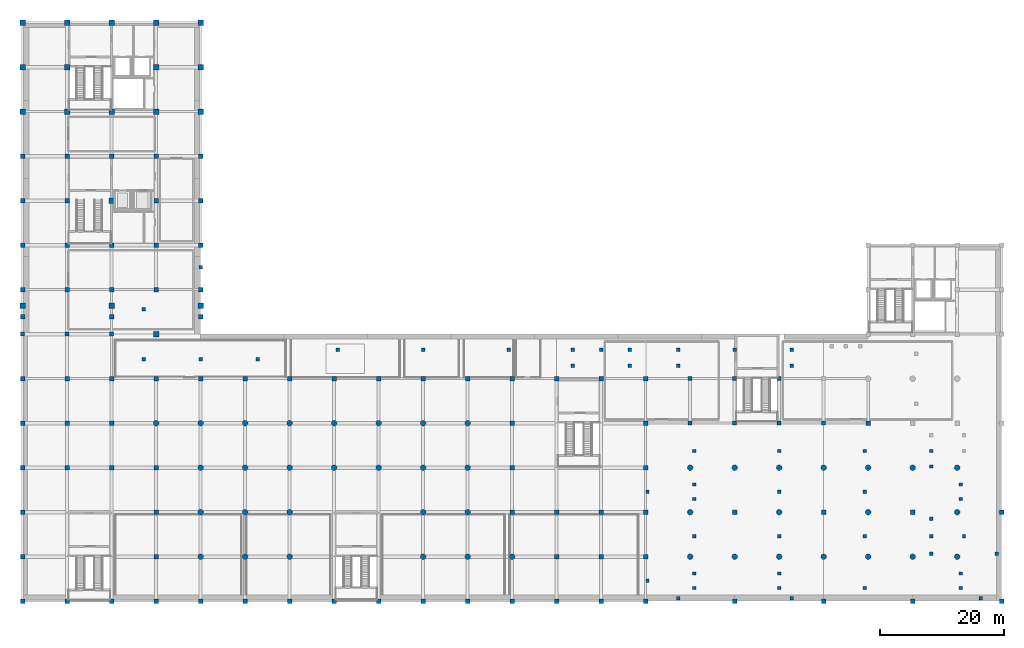
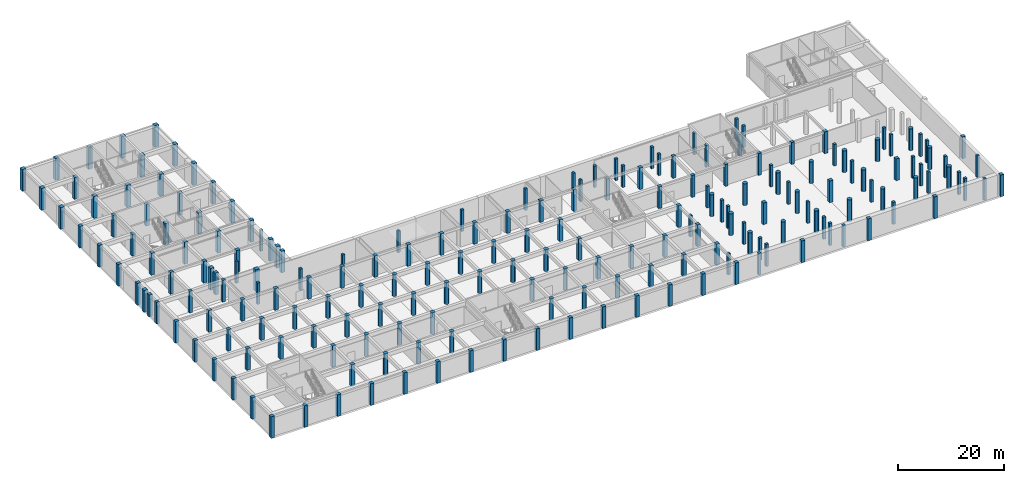
# One storey, part 1 of 15: 205 columns.
"""IFC4 building model written with IfcOpenShell, lengths in metres."""

from ifc_helpers import new_model, si_unit, direction, frame, origin, origin_2d, place, context, subcontext, project, spatial, rectangle, circle, extrude, material, material_profile, profile_set, type_object, element, save


model = new_model("IFC4")

# Units and contexts
model_context = context("Model", 3, precision=1e-05, world=origin(), true_north=direction((0.0, 1.0)))
body_context = subcontext(model_context, "Body", "Model", "MODEL_VIEW")
ifc_project = project(units=[si_unit("LENGTHUNIT", "METRE"), si_unit("AREAUNIT", "SQUARE_METRE"), si_unit("VOLUMEUNIT", "CUBIC_METRE"), si_unit("PLANEANGLEUNIT", "RADIAN"), si_unit("MASSUNIT", "GRAM", prefix="KILO")], contexts=[model_context])

# Site, building, storey
site_placement = place(None, origin())
site = spatial("IfcSite", under=ifc_project, at=site_placement, CompositionType="ELEMENT")
building_placement = place(site_placement, origin())
building = spatial("IfcBuilding", under=site, at=building_placement, Name="Leyfeld Transit Interchange", CompositionType="ELEMENT")
storey_placement = place(building_placement, frame((0.0, 0.0, -5.39990234375)))
storey = spatial("IfcBuildingStorey", under=building, at=storey_placement, Name="B01", CompositionType="ELEMENT", Elevation=-5.39990234375)

# Columns
ifc_material_1 = material(Name="Concrete C35/45", Category="concrete")
ifc_material_profile_1 = material_profile(ifc_material_1, rectangle(XDim=0.550048828125, YDim=0.550048828125, at=origin_2d()), Name="RC 550x550")
ifc_profile_set_1 = profile_set([ifc_material_profile_1], Name="Concrete C35/45")
column_type_1 = type_object("IfcColumnType", Name="COL-RC-550", PredefinedType="COLUMN", material=ifc_profile_set_1)
for number, where, z_axis, x_axis, name in (
    (1, (108.633056640625, 16.52392578125, 0.0), (0.0, 0.0, 1.0), (1.0, 0.0, 0.0), "Plaza Support Column B01 001"),
    (2, (108.633056640625, 18.8759765625, 0.0), (0.0, 0.0, 1.0), (1.0, 0.0, 0.0), "Plaza Support Column B01 002"),
    (3, (122.43505859375, 16.52392578125, 0.0), (0.0, 0.0, 1.0), (1.0, 0.0, 0.0), "Plaza Support Column B01 003"),
    (4, (122.43505859375, 18.8759765625, 0.0), (0.0, 0.0, 1.0), (1.0, 0.0, 0.0), "Plaza Support Column B01 004"),
    (5, (136.237060546875, 16.52392578125, 0.0), (0.0, 0.0, 1.0), (1.0, 0.0, 0.0), "Plaza Support Column B01 005"),
    (6, (151.77587890625, 16.52392578125, 0.0), (0.0, 0.0, 1.0), (1.0, 0.0, 0.0), "Plaza Support Column B01 006"),
    (7, (151.77587890625, 18.8759765625, 0.0), (0.0, 0.0, 1.0), (1.0, 0.0, 0.0), "Plaza Support Column B01 007"),
    (8, (108.633056640625, 30.924072265625, 0.0), (0.0, 0.0, 1.0), (1.0, 0.0, 0.0), "Plaza Support Column B01 008"),
    (9, (108.633056640625, 33.27587890625, 0.0), (0.0, 0.0, 1.0), (1.0, 0.0, 0.0), "Plaza Support Column B01 009"),
    (10, (122.43505859375, 32.10009765625, 0.0), (0.0, 0.0, 1.0), (1.0, 0.0, 0.0), "Plaza Support Column B01 010"),
    (11, (136.237060546875, 32.10009765625, 0.0), (0.0, 0.0, 1.0), (1.0, 0.0, 0.0), "Plaza Support Column B01 011"),
    (12, (151.77587890625, 30.924072265625, 0.0), (0.0, 0.0, 1.0), (1.0, 0.0, 0.0), "Plaza Support Column B01 012"),
    (13, (151.77587890625, 33.27587890625, 0.0), (0.0, 0.0, 1.0), (1.0, 0.0, 0.0), "Plaza Support Column B01 013"),
):
    element("IfcColumn", number, at=place(storey_placement, frame(where, z_axis=z_axis, x_axis=x_axis)), inside=storey, type_object=column_type_1, Name=name, PredefinedType="COLUMN", context=body_context, shape_type="SweptSolid", body=[
        extrude(rectangle(XDim=0.550048828125, YDim=0.550048828125, at=origin_2d()), origin(), (0.0, 0.0, 1.0), 5.099853515625),
    ])
for number, where, z_axis, x_axis, name in (
    (14, (106.041015625, 14.85205078125, 0.0), (0.0, 0.0, 1.0), (1.0, 0.0, 0.0), "Plaza Support Column B01 016"),
    (15, (124.428955078125, 14.85205078125, 0.0), (0.0, 0.0, 1.0), (1.0, 0.0, 0.0), "Plaza Support Column B01 017"),
    (16, (155.02001953125, 14.85205078125, 0.0), (0.0, 0.0, 1.0), (1.0, 0.0, 0.0), "Plaza Support Column B01 018"),
    (17, (19.583984375, 53.568115234375, 0.0), (0.0, 0.0, 1.0), (1.0, 0.0, 0.0), "Plaza Support Column B01 019"),
    (18, (19.583984375, 61.632080078125, 0.0), (0.0, 0.0, 1.0), (1.0, 0.0, 0.0), "Plaza Support Column B01 020"),
    (19, (28.800048828125, 53.568115234375, 0.0), (0.0, 0.0, 1.0), (1.0, 0.0, 0.0), "Plaza Support Column B01 021"),
    (20, (38.01611328125, 53.568115234375, 0.0), (0.0, 0.0, 1.0), (1.0, 0.0, 0.0), "Plaza Support Column B01 022"),
    (21, (50.97607421875, 55.10009765625, 0.0), (0.0, 0.0, 1.0), (1.0, 0.0, 0.0), "Plaza Support Column B01 023"),
    (22, (64.800048828125, 55.10009765625, 0.0), (0.0, 0.0, 1.0), (1.0, 0.0, 0.0), "Plaza Support Column B01 024"),
    (23, (78.6240234375, 55.10009765625, 0.0), (0.0, 0.0, 1.0), (1.0, 0.0, 0.0), "Plaza Support Column B01 025"),
    (24, (106.041015625, 52.468017578125, 0.0), (0.0, 0.0, 1.0), (1.0, 0.0, 0.0), "Plaza Support Column B01 026"),
    (25, (106.041015625, 55.10009765625, 0.0), (0.0, 0.0, 1.0), (1.0, 0.0, 0.0), "Plaza Support Column B01 027"),
    (26, (115.235107421875, 55.10009765625, 0.0), (0.0, 0.0, 1.0), (1.0, 0.0, 0.0), "Plaza Support Column B01 028"),
    (27, (124.428955078125, 52.468017578125, 0.0), (0.0, 0.0, 1.0), (1.0, 0.0, 0.0), "Plaza Support Column B01 029"),
    (28, (124.428955078125, 55.10009765625, 0.0), (0.0, 0.0, 1.0), (1.0, 0.0, 0.0), "Plaza Support Column B01 030"),
    (29, (88.99609375, 52.468017578125, 0.0), (0.0, 0.0, 1.0), (1.0, 0.0, 0.0), "Plaza Support Column B01 031"),
    (30, (88.99609375, 55.10009765625, 0.0), (0.0, 0.0, 1.0), (1.0, 0.0, 0.0), "Plaza Support Column B01 032"),
    (31, (93.610107421875, 55.10009765625, 0.0), (0.0, 0.0, 1.0), (1.0, 0.0, 0.0), "Plaza Support Column B01 033"),
    (32, (98.22412109375, 52.468017578125, 0.0), (0.0, 0.0, 1.0), (1.0, 0.0, 0.0), "Plaza Support Column B01 034"),
    (33, (98.22412109375, 55.10009765625, 0.0), (0.0, 0.0, 1.0), (1.0, 0.0, 0.0), "Plaza Support Column B01 035"),
    (34, (108.633056640625, 38.699951171875, 0.0), (0.0, 0.0, 1.0), (1.0, 0.0, 0.0), "Plaza Support Column B01 039"),
    (35, (122.43505859375, 38.699951171875, 0.0), (0.0, 0.0, 1.0), (1.0, 0.0, 0.0), "Plaza Support Column B01 040"),
    (36, (136.237060546875, 38.699951171875, 0.0), (0.0, 0.0, 1.0), (1.0, 0.0, 0.0), "Plaza Support Column B01 041"),
    (37, (146.988037109375, 36.179931640625, 0.0), (0.0, 0.0, 1.0), (1.0, 0.0, 0.0), "Plaza Support Column B01 042"),
    (38, (146.988037109375, 38.699951171875, 0.0), (0.0, 0.0, 1.0), (1.0, 0.0, 0.0), "Plaza Support Column B01 043"),
    (39, (108.633056640625, 24.89990234375, 0.0), (0.0, 0.0, 1.0), (1.0, 0.0, 0.0), "Plaza Support Column B01 047"),
    (40, (122.43505859375, 24.89990234375, 0.0), (0.0, 0.0, 1.0), (1.0, 0.0, 0.0), "Plaza Support Column B01 048"),
    (41, (136.237060546875, 24.89990234375, 0.0), (0.0, 0.0, 1.0), (1.0, 0.0, 0.0), "Plaza Support Column B01 049"),
    (42, (146.988037109375, 22.0439453125, 0.0), (0.0, 0.0, 1.0), (1.0, 0.0, 0.0), "Plaza Support Column B01 050"),
    (43, (146.988037109375, 24.89990234375, 0.0), (0.0, 0.0, 1.0), (1.0, 0.0, 0.0), "Plaza Support Column B01 051"),
    (44, (146.988037109375, 27.756103515625, 0.0), (0.0, 0.0, 1.0), (1.0, 0.0, 0.0), "Plaza Support Column B01 052"),
    (45, (152.300048828125, 24.89990234375, 0.0), (0.0, 0.0, 1.0), (1.0, 0.0, 0.0), "Plaza Support Column B01 053"),
    (46, (157.612060546875, 22.0439453125, 0.0), (0.0, 0.0, 1.0), (1.0, 0.0, 0.0), "Plaza Support Column B01 054"),
):
    element("IfcColumn", number, at=place(storey_placement, frame(where, z_axis=z_axis, x_axis=x_axis)), inside=storey, type_object=column_type_1, Name=name, PredefinedType="COLUMN", context=body_context, shape_type="SweptSolid", body=[
        extrude(rectangle(XDim=0.550048828125, YDim=0.550048828125, at=origin_2d()), origin(), (0.0, 0.0, 1.0), 4.949951171875),
    ])
column_placement = place(storey_placement, frame((28.800048828125, 68.39990234375, 0.0), z_axis=(0.0, 0.0, 1.0), x_axis=(1.0, 0.0, 0.0)))
element("IfcColumn", 47, at=column_placement, inside=storey, type_object=column_type_1, Name="Cycle Ramp Pier B01", PredefinedType="COLUMN", context=body_context, shape_type="SweptSolid", body=[
    extrude(rectangle(XDim=0.550048828125, YDim=0.550048828125, at=origin_2d()), origin(), (0.0, 0.0, 1.0), 4.849853515625),
])
for number, where, z_axis, x_axis, name in (
    (48, (101.10009765625, 17.699951171875, 0.0), (0.0, 0.0, 1.0), (1.0, 0.0, 0.0), "Ramp Toe Pier B01 02"),
    (49, (101.10009765625, 32.10009765625, 0.0), (0.0, 0.0, 1.0), (1.0, 0.0, 0.0), "Ramp Toe Pier B01 03"),
):
    element("IfcColumn", number, at=place(storey_placement, frame(where, z_axis=z_axis, x_axis=x_axis)), inside=storey, type_object=column_type_1, Name=name, PredefinedType="COLUMN", context=body_context, shape_type="SweptSolid", body=[
        extrude(rectangle(XDim=0.550048828125, YDim=0.550048828125, at=origin_2d()), origin(), (0.0, 0.0, 1.0), 4.8798828125),
    ])
ifc_material_profile_2 = material_profile(ifc_material_1, rectangle(XDim=0.64990234375, YDim=0.64990234375, at=origin_2d()), Name="RC 650x650")
ifc_profile_set_2 = profile_set([ifc_material_profile_2], Name="Concrete C35/45")
column_type_2 = type_object("IfcColumnType", Name="COL-RC-650", PredefinedType="COLUMN", material=ifc_profile_set_2)
for number, where, z_axis, x_axis, name in (
    (50, (0.0, 57.60009765625, 0.0), (0.0, 0.0, 1.0), (1.0, 0.0, 0.0), "Column COL-B01-0000_0576"),
    (51, (7.199951171875, 57.60009765625, 0.0), (0.0, 0.0, 1.0), (1.0, 0.0, 0.0), "Column COL-B01-0072_0576"),
    (52, (14.39990234375, 57.60009765625, 0.0), (0.0, 0.0, 1.0), (1.0, 0.0, 0.0), "Column COL-B01-0144_0576"),
):
    element("IfcColumn", number, at=place(storey_placement, frame(where, z_axis=z_axis, x_axis=x_axis)), inside=storey, type_object=column_type_2, Name=name, PredefinedType="COLUMN", context=body_context, shape_type="SweptSolid", body=[
        extrude(rectangle(XDim=0.64990234375, YDim=0.64990234375, at=origin_2d()), origin(), (0.0, 0.0, 1.0), 5.0),
    ])
for number, where, z_axis, x_axis, name in (
    (53, (108.0, 43.199951171875, 0.0), (0.0, 0.0, 1.0), (1.0, 0.0, 0.0), "Column COL-B01-1080_0432"),
    (54, (108.0, 50.39990234375, 0.0), (0.0, 0.0, 1.0), (1.0, 0.0, 0.0), "Column COL-B01-1080_0504"),
    (55, (115.199951171875, 43.199951171875, 0.0), (0.0, 0.0, 1.0), (1.0, 0.0, 0.0), "Column COL-B01-1152_0432"),
    (56, (115.199951171875, 50.39990234375, 0.0), (0.0, 0.0, 1.0), (1.0, 0.0, 0.0), "Column COL-B01-1152_0504"),
    (57, (122.39990234375, 43.199951171875, 0.0), (0.0, 0.0, 1.0), (1.0, 0.0, 0.0), "Column COL-B01-1224_0432"),
    (58, (122.39990234375, 50.39990234375, 0.0), (0.0, 0.0, 1.0), (1.0, 0.0, 0.0), "Column COL-B01-1224_0504"),
    (59, (129.60009765625, 43.199951171875, 0.0), (0.0, 0.0, 1.0), (1.0, 0.0, 0.0), "Column COL-B01-1296_0432"),
):
    element("IfcColumn", number, at=place(storey_placement, frame(where, z_axis=z_axis, x_axis=x_axis)), inside=storey, type_object=column_type_2, Name=name, PredefinedType="COLUMN", context=body_context, shape_type="SweptSolid", body=[
        extrude(rectangle(XDim=0.64990234375, YDim=0.64990234375, at=origin_2d()), origin(), (0.0, 0.0, 1.0), 5.039794921875),
    ])
ifc_material_profile_3 = material_profile(ifc_material_1, rectangle(XDim=0.75, YDim=0.75, at=origin_2d()), Name="RC 750x750")
ifc_profile_set_3 = profile_set([ifc_material_profile_3], Name="Concrete C35/45")
column_type_3 = type_object("IfcColumnType", Name="COL-RC-750", PredefinedType="COLUMN", material=ifc_profile_set_3)
for number, where, z_axis, x_axis, name in (
    (60, (0.0, 14.39990234375, 0.0), (0.0, 0.0, 1.0), (1.0, 0.0, 0.0), "Column COL-B01-0000_0144"),
    (61, (0.0, 21.60009765625, 0.0), (0.0, 0.0, 1.0), (1.0, 0.0, 0.0), "Column COL-B01-0000_0216"),
    (62, (0.0, 28.800048828125, 0.0), (0.0, 0.0, 1.0), (1.0, 0.0, 0.0), "Column COL-B01-0000_0288"),
    (63, (0.0, 36.0, 0.0), (0.0, 0.0, 1.0), (1.0, 0.0, 0.0), "Column COL-B01-0000_0360"),
    (64, (0.0, 43.199951171875, 0.0), (0.0, 0.0, 1.0), (1.0, 0.0, 0.0), "Column COL-B01-0000_0432"),
    (65, (0.0, 50.39990234375, 0.0), (0.0, 0.0, 1.0), (1.0, 0.0, 0.0), "Column COL-B01-0000_0504"),
):
    element("IfcColumn", number, at=place(storey_placement, frame(where, z_axis=z_axis, x_axis=x_axis)), inside=storey, type_object=column_type_3, Name=name, PredefinedType="COLUMN", context=body_context, shape_type="SweptSolid", body=[
        extrude(rectangle(XDim=0.75, YDim=0.75, at=origin_2d()), origin(), (0.0, 0.0, 1.0), 4.949951171875),
    ])
for number, where, z_axis, x_axis, name in (
    (66, (0.0, 60.39990234375, 0.0), (0.0, 0.0, 1.0), (1.0, 0.0, 0.0), "Column COL-B01-0000_0604"),
    (67, (0.0, 64.800048828125, 0.0), (0.0, 0.0, 1.0), (1.0, 0.0, 0.0), "Column COL-B01-0000_0648"),
    (68, (0.0, 72.0, 0.0), (0.0, 0.0, 1.0), (0.0, 1.0, 0.0), "Column COL-B01-0000_0720"),
    (69, (0.0, 79.199951171875, 0.0), (0.0, 0.0, 1.0), (0.0, 1.0, 0.0), "Column COL-B01-0000_0792"),
    (70, (0.0, 86.39990234375, 0.0), (0.0, 0.0, 1.0), (0.0, 1.0, 0.0), "Column COL-B01-0000_0864"),
):
    element("IfcColumn", number, at=place(storey_placement, frame(where, z_axis=z_axis, x_axis=x_axis)), inside=storey, type_object=column_type_3, Name=name, PredefinedType="COLUMN", context=body_context, shape_type="SweptSolid", body=[
        extrude(rectangle(XDim=0.75, YDim=0.75, at=origin_2d()), origin(), (0.0, 0.0, 1.0), 5.0),
    ])
for number, where, z_axis, x_axis, name in (
    (71, (7.199951171875, 14.39990234375, 0.0), (0.0, 0.0, 1.0), (1.0, 0.0, 0.0), "Column COL-B01-0072_0144"),
    (72, (7.199951171875, 36.0, 0.0), (0.0, 0.0, 1.0), (1.0, 0.0, 0.0), "Column COL-B01-0072_0360"),
    (73, (7.199951171875, 43.199951171875, 0.0), (0.0, 0.0, 1.0), (1.0, 0.0, 0.0), "Column COL-B01-0072_0432"),
    (74, (7.199951171875, 50.39990234375, 0.0), (0.0, 0.0, 1.0), (1.0, 0.0, 0.0), "Column COL-B01-0072_0504"),
):
    element("IfcColumn", number, at=place(storey_placement, frame(where, z_axis=z_axis, x_axis=x_axis)), inside=storey, type_object=column_type_3, Name=name, PredefinedType="COLUMN", context=body_context, shape_type="SweptSolid", body=[
        extrude(rectangle(XDim=0.75, YDim=0.75, at=origin_2d()), origin(), (0.0, 0.0, 1.0), 4.949951171875),
    ])
for number, where, z_axis, x_axis, name in (
    (75, (7.199951171875, 64.800048828125, 0.0), (0.0, 0.0, 1.0), (1.0, 0.0, 0.0), "Column COL-B01-0072_0648"),
    (76, (7.199951171875, 72.0, 0.0), (0.0, 0.0, 1.0), (1.0, 0.0, 0.0), "Column COL-B01-0072_0720"),
    (77, (7.199951171875, 79.199951171875, 0.0), (0.0, 0.0, 1.0), (1.0, 0.0, 0.0), "Column COL-B01-0072_0792"),
    (78, (7.199951171875, 86.39990234375, 0.0), (0.0, 0.0, 1.0), (1.0, 0.0, 0.0), "Column COL-B01-0072_0864"),
):
    element("IfcColumn", number, at=place(storey_placement, frame(where, z_axis=z_axis, x_axis=x_axis)), inside=storey, type_object=column_type_3, Name=name, PredefinedType="COLUMN", context=body_context, shape_type="SweptSolid", body=[
        extrude(rectangle(XDim=0.75, YDim=0.75, at=origin_2d()), origin(), (0.0, 0.0, 1.0), 5.0),
    ])
for number, where, z_axis, x_axis, name in (
    (79, (14.39990234375, 14.39990234375, 0.0), (0.0, 0.0, 1.0), (1.0, 0.0, 0.0), "Column COL-B01-0144_0144"),
    (80, (14.39990234375, 36.0, 0.0), (0.0, 0.0, 1.0), (1.0, 0.0, 0.0), "Column COL-B01-0144_0360"),
    (81, (14.39990234375, 43.199951171875, 0.0), (0.0, 0.0, 1.0), (1.0, 0.0, 0.0), "Column COL-B01-0144_0432"),
    (82, (14.39990234375, 50.39990234375, 0.0), (0.0, 0.0, 1.0), (1.0, 0.0, 0.0), "Column COL-B01-0144_0504"),
):
    element("IfcColumn", number, at=place(storey_placement, frame(where, z_axis=z_axis, x_axis=x_axis)), inside=storey, type_object=column_type_3, Name=name, PredefinedType="COLUMN", context=body_context, shape_type="SweptSolid", body=[
        extrude(rectangle(XDim=0.75, YDim=0.75, at=origin_2d()), origin(), (0.0, 0.0, 1.0), 4.949951171875),
    ])
for number, where, z_axis, x_axis, name in (
    (83, (14.39990234375, 60.39990234375, 0.0), (0.0, 0.0, 1.0), (1.0, 0.0, 0.0), "Column COL-B01-0144_0604"),
    (84, (14.39990234375, 64.800048828125, 0.0), (0.0, 0.0, 1.0), (1.0, 0.0, 0.0), "Column COL-B01-0144_0648"),
    (85, (14.39990234375, 72.0, 0.0), (0.0, 0.0, 1.0), (1.0, 0.0, 0.0), "Column COL-B01-0144_0720"),
    (86, (14.39990234375, 86.39990234375, 0.0), (0.0, 0.0, 1.0), (1.0, 0.0, 0.0), "Column COL-B01-0144_0864"),
):
    element("IfcColumn", number, at=place(storey_placement, frame(where, z_axis=z_axis, x_axis=x_axis)), inside=storey, type_object=column_type_3, Name=name, PredefinedType="COLUMN", context=body_context, shape_type="SweptSolid", body=[
        extrude(rectangle(XDim=0.75, YDim=0.75, at=origin_2d()), origin(), (0.0, 0.0, 1.0), 5.0),
    ])
for number, where, z_axis, x_axis, name in (
    (87, (21.60009765625, 14.39990234375, 0.0), (0.0, 0.0, 1.0), (1.0, 0.0, 0.0), "Column COL-B01-0216_0144"),
    (88, (21.60009765625, 21.60009765625, 0.0), (0.0, 0.0, 1.0), (1.0, 0.0, 0.0), "Column COL-B01-0216_0216"),
    (89, (21.60009765625, 28.800048828125, 0.0), (0.0, 0.0, 1.0), (1.0, 0.0, 0.0), "Column COL-B01-0216_0288"),
    (90, (21.60009765625, 36.0, 0.0), (0.0, 0.0, 1.0), (1.0, 0.0, 0.0), "Column COL-B01-0216_0360"),
    (91, (21.60009765625, 50.39990234375, 0.0), (0.0, 0.0, 1.0), (1.0, 0.0, 0.0), "Column COL-B01-0216_0504"),
):
    element("IfcColumn", number, at=place(storey_placement, frame(where, z_axis=z_axis, x_axis=x_axis)), inside=storey, type_object=column_type_3, Name=name, PredefinedType="COLUMN", context=body_context, shape_type="SweptSolid", body=[
        extrude(rectangle(XDim=0.75, YDim=0.75, at=origin_2d()), origin(), (0.0, 0.0, 1.0), 4.949951171875),
    ])
for number, where, z_axis, x_axis, name in (
    (92, (21.60009765625, 64.800048828125, 0.0), (0.0, 0.0, 1.0), (1.0, 0.0, 0.0), "Column COL-B01-0216_0648"),
    (93, (21.60009765625, 72.0, 0.0), (0.0, 0.0, 1.0), (1.0, 0.0, 0.0), "Column COL-B01-0216_0720"),
    (94, (21.60009765625, 79.199951171875, 0.0), (0.0, 0.0, 1.0), (1.0, 0.0, 0.0), "Column COL-B01-0216_0792"),
    (95, (21.60009765625, 86.39990234375, 0.0), (0.0, 0.0, 1.0), (1.0, 0.0, 0.0), "Column COL-B01-0216_0864"),
):
    element("IfcColumn", number, at=place(storey_placement, frame(where, z_axis=z_axis, x_axis=x_axis)), inside=storey, type_object=column_type_3, Name=name, PredefinedType="COLUMN", context=body_context, shape_type="SweptSolid", body=[
        extrude(rectangle(XDim=0.75, YDim=0.75, at=origin_2d()), origin(), (0.0, 0.0, 1.0), 5.0),
    ])
for number, where, z_axis, x_axis, name in (
    (96, (28.800048828125, 14.39990234375, 0.0), (0.0, 0.0, 1.0), (1.0, 0.0, 0.0), "Column COL-B01-0288_0144"),
    (97, (28.800048828125, 50.39990234375, 0.0), (0.0, 0.0, 1.0), (1.0, 0.0, 0.0), "Column COL-B01-0288_0504"),
):
    element("IfcColumn", number, at=place(storey_placement, frame(where, z_axis=z_axis, x_axis=x_axis)), inside=storey, type_object=column_type_3, Name=name, PredefinedType="COLUMN", context=body_context, shape_type="SweptSolid", body=[
        extrude(rectangle(XDim=0.75, YDim=0.75, at=origin_2d()), origin(), (0.0, 0.0, 1.0), 4.949951171875),
    ])
for number, where, z_axis, x_axis, name in (
    (98, (28.800048828125, 60.39990234375, 0.0), (0.0, 0.0, 1.0), (1.0, 0.0, 0.0), "Column COL-B01-0288_0604"),
    (99, (28.800048828125, 64.800048828125, 0.0), (0.0, 0.0, 1.0), (1.0, 0.0, 0.0), "Column COL-B01-0288_0648"),
    (100, (28.800048828125, 72.0, 0.0), (0.0, 0.0, 1.0), (1.0, 0.0, 0.0), "Column COL-B01-0288_0720"),
    (101, (28.800048828125, 79.199951171875, 0.0), (0.0, 0.0, 1.0), (1.0, 0.0, 0.0), "Column COL-B01-0288_0792"),
    (102, (28.800048828125, 86.39990234375, 0.0), (0.0, 0.0, 1.0), (1.0, 0.0, 0.0), "Column COL-B01-0288_0864"),
):
    element("IfcColumn", number, at=place(storey_placement, frame(where, z_axis=z_axis, x_axis=x_axis)), inside=storey, type_object=column_type_3, Name=name, PredefinedType="COLUMN", context=body_context, shape_type="SweptSolid", body=[
        extrude(rectangle(XDim=0.75, YDim=0.75, at=origin_2d()), origin(), (0.0, 0.0, 1.0), 5.0),
    ])
for number, where, z_axis, x_axis, name in (
    (103, (36.0, 14.39990234375, 0.0), (0.0, 0.0, 1.0), (1.0, 0.0, 0.0), "Column COL-B01-0360_0144"),
    (104, (36.0, 50.39990234375, 0.0), (0.0, 0.0, 1.0), (1.0, 0.0, 0.0), "Column COL-B01-0360_0504"),
    (105, (43.199951171875, 14.39990234375, 0.0), (0.0, 0.0, 1.0), (1.0, 0.0, 0.0), "Column COL-B01-0432_0144"),
    (106, (43.199951171875, 50.39990234375, 0.0), (0.0, 0.0, 1.0), (1.0, 0.0, 0.0), "Column COL-B01-0432_0504"),
    (107, (50.39990234375, 14.39990234375, 0.0), (0.0, 0.0, 1.0), (1.0, 0.0, 0.0), "Column COL-B01-0504_0144"),
    (108, (50.39990234375, 50.39990234375, 0.0), (0.0, 0.0, 1.0), (1.0, 0.0, 0.0), "Column COL-B01-0504_0504"),
    (109, (57.60009765625, 14.39990234375, 0.0), (0.0, 0.0, 1.0), (1.0, 0.0, 0.0), "Column COL-B01-0576_0144"),
    (110, (57.60009765625, 50.39990234375, 0.0), (0.0, 0.0, 1.0), (1.0, 0.0, 0.0), "Column COL-B01-0576_0504"),
    (111, (64.800048828125, 14.39990234375, 0.0), (0.0, 0.0, 1.0), (1.0, 0.0, 0.0), "Column COL-B01-0648_0144"),
    (112, (64.800048828125, 50.39990234375, 0.0), (0.0, 0.0, 1.0), (1.0, 0.0, 0.0), "Column COL-B01-0648_0504"),
    (113, (72.0, 14.39990234375, 0.0), (0.0, 0.0, 1.0), (1.0, 0.0, 0.0), "Column COL-B01-0720_0144"),
    (114, (72.0, 50.39990234375, 0.0), (0.0, 0.0, 1.0), (1.0, 0.0, 0.0), "Column COL-B01-0720_0504"),
    (115, (79.199951171875, 14.39990234375, 0.0), (0.0, 0.0, 1.0), (1.0, 0.0, 0.0), "Column COL-B01-0792_0144"),
    (116, (79.199951171875, 28.800048828125, 0.0), (0.0, 0.0, 1.0), (1.0, 0.0, 0.0), "Column COL-B01-0792_0288"),
    (117, (79.199951171875, 36.0, 0.0), (0.0, 0.0, 1.0), (1.0, 0.0, 0.0), "Column COL-B01-0792_0360"),
    (118, (79.199951171875, 43.199951171875, 0.0), (0.0, 0.0, 1.0), (1.0, 0.0, 0.0), "Column COL-B01-0792_0432"),
    (119, (79.199951171875, 50.39990234375, 0.0), (0.0, 0.0, 1.0), (1.0, 0.0, 0.0), "Column COL-B01-0792_0504"),
    (120, (86.39990234375, 14.39990234375, 0.0), (0.0, 0.0, 1.0), (1.0, 0.0, 0.0), "Column COL-B01-0864_0144"),
    (121, (86.39990234375, 21.60009765625, 0.0), (0.0, 0.0, 1.0), (1.0, 0.0, 0.0), "Column COL-B01-0864_0216"),
    (122, (86.39990234375, 28.800048828125, 0.0), (0.0, 0.0, 1.0), (1.0, 0.0, 0.0), "Column COL-B01-0864_0288"),
    (123, (86.39990234375, 50.39990234375, 0.0), (0.0, 0.0, 1.0), (1.0, 0.0, 0.0), "Column COL-B01-0864_0504"),
    (124, (93.60009765625, 14.39990234375, 0.0), (0.0, 0.0, 1.0), (1.0, 0.0, 0.0), "Column COL-B01-0936_0144"),
    (125, (93.60009765625, 21.60009765625, 0.0), (0.0, 0.0, 1.0), (1.0, 0.0, 0.0), "Column COL-B01-0936_0216"),
    (126, (93.60009765625, 28.800048828125, 0.0), (0.0, 0.0, 1.0), (1.0, 0.0, 0.0), "Column COL-B01-0936_0288"),
    (127, (93.60009765625, 50.39990234375, 0.0), (0.0, 0.0, 1.0), (1.0, 0.0, 0.0), "Column COL-B01-0936_0504"),
    (128, (100.800048828125, 14.39990234375, 0.0), (0.0, 0.0, 1.0), (1.0, 0.0, 0.0), "Column COL-B01-1008_0144"),
    (129, (100.800048828125, 21.60009765625, 0.0), (0.0, 0.0, 1.0), (1.0, 0.0, 0.0), "Column COL-B01-1008_0216"),
    (130, (100.800048828125, 28.800048828125, 0.0), (0.0, 0.0, 1.0), (1.0, 0.0, 0.0), "Column COL-B01-1008_0288"),
    (131, (100.800048828125, 36.0, 0.0), (0.0, 0.0, 1.0), (1.0, 0.0, 0.0), "Column COL-B01-1008_0360"),
    (132, (100.800048828125, 43.199951171875, 0.0), (0.0, 0.0, 1.0), (1.0, 0.0, 0.0), "Column COL-B01-1008_0432"),
    (133, (100.800048828125, 50.39990234375, 0.0), (0.0, 0.0, 1.0), (1.0, 0.0, 0.0), "Column COL-B01-1008_0504"),
):
    element("IfcColumn", number, at=place(storey_placement, frame(where, z_axis=z_axis, x_axis=x_axis)), inside=storey, type_object=column_type_3, Name=name, PredefinedType="COLUMN", context=body_context, shape_type="SweptSolid", body=[
        extrude(rectangle(XDim=0.75, YDim=0.75, at=origin_2d()), origin(), (0.0, 0.0, 1.0), 4.949951171875),
    ])
for number, where, z_axis, x_axis, name in (
    (134, (115.199951171875, 14.39990234375, 0.0), (0.0, 0.0, 1.0), (1.0, 0.0, 0.0), "Column COL-B01-1152_0144"),
    (135, (115.199951171875, 28.800048828125, 0.0), (0.0, 0.0, 1.0), (1.0, 0.0, 0.0), "Column COL-B01-1152_0288"),
    (136, (129.60009765625, 14.39990234375, 0.0), (0.0, 0.0, 1.0), (1.0, 0.0, 0.0), "Column COL-B01-1296_0144"),
    (137, (129.60009765625, 28.800048828125, 0.0), (0.0, 0.0, 1.0), (1.0, 0.0, 0.0), "Column COL-B01-1296_0288"),
    (138, (136.800048828125, 43.199951171875, 0.0), (0.0, 0.0, 1.0), (1.0, 0.0, 0.0), "Column COL-B01-1368_0432"),
    (139, (144.0, 14.39990234375, 0.0), (0.0, 0.0, 1.0), (1.0, 0.0, 0.0), "Column COL-B01-1440_0144"),
    (140, (144.0, 28.800048828125, 0.0), (0.0, 0.0, 1.0), (1.0, 0.0, 0.0), "Column COL-B01-1440_0288"),
    (141, (158.39990234375, 14.39990234375, 0.0), (0.0, 0.0, 1.0), (1.0, 0.0, 0.0), "Column COL-B01-1584_0144"),
    (142, (158.39990234375, 28.800048828125, 0.0), (0.0, 0.0, 1.0), (1.0, 0.0, 0.0), "Column COL-B01-1584_0288"),
):
    element("IfcColumn", number, at=place(storey_placement, frame(where, z_axis=z_axis, x_axis=x_axis)), inside=storey, type_object=column_type_3, Name=name, PredefinedType="COLUMN", context=body_context, shape_type="SweptSolid", body=[
        extrude(rectangle(XDim=0.75, YDim=0.75, at=origin_2d()), origin(), (0.0, 0.0, 1.0), 5.0),
    ])
ifc_material_profile_4 = material_profile(ifc_material_1, rectangle(XDim=0.85009765625, YDim=0.85009765625, at=origin_2d()), Name="RC 850x850")
ifc_profile_set_4 = profile_set([ifc_material_profile_4], Name="Concrete C35/45")
column_type_4 = type_object("IfcColumnType", Name="COL-RC-850", PredefinedType="COLUMN", material=ifc_profile_set_4)
for number, where, z_axis, x_axis, name in (
    (143, (0.0, 62.199951171875, 0.0), (0.0, 0.0, 1.0), (1.0, 0.0, 0.0), "Column COL-B01-0000_0622"),
    (144, (0.0, 93.60009765625, 0.0), (0.0, 0.0, 1.0), (0.0, 1.0, 0.0), "Column COL-B01-0000_0936"),
    (145, (0.0, 100.800048828125, 0.0), (0.0, 0.0, 1.0), (1.0, 0.0, 0.0), "Column COL-B01-0000_1008"),
    (146, (0.0, 108.0, 0.0), (0.0, 0.0, 1.0), (1.0, 0.0, 0.0), "Column COL-B01-0000_1080"),
    (147, (7.199951171875, 93.60009765625, 0.0), (0.0, 0.0, 1.0), (1.0, 0.0, 0.0), "Column COL-B01-0072_0936"),
    (148, (7.199951171875, 100.800048828125, 0.0), (0.0, 0.0, 1.0), (1.0, 0.0, 0.0), "Column COL-B01-0072_1008"),
    (149, (7.199951171875, 108.0, 0.0), (0.0, 0.0, 1.0), (1.0, 0.0, 0.0), "Column COL-B01-0072_1080"),
    (150, (14.39990234375, 62.199951171875, 0.0), (0.0, 0.0, 1.0), (1.0, 0.0, 0.0), "Column COL-B01-0144_0622"),
    (151, (14.39990234375, 79.199951171875, 0.0), (0.0, 0.0, 1.0), (1.0, 0.0, 0.0), "Column COL-B01-0144_0792"),
    (152, (14.39990234375, 93.60009765625, 0.0), (0.0, 0.0, 1.0), (1.0, 0.0, 0.0), "Column COL-B01-0144_0936"),
    (153, (14.39990234375, 108.0, 0.0), (0.0, 0.0, 1.0), (1.0, 0.0, 0.0), "Column COL-B01-0144_1080"),
    (154, (21.60009765625, 57.60009765625, 0.0), (0.0, 0.0, 1.0), (1.0, 0.0, 0.0), "Column COL-B01-0216_0576"),
    (155, (21.60009765625, 93.60009765625, 0.0), (0.0, 0.0, 1.0), (1.0, 0.0, 0.0), "Column COL-B01-0216_0936"),
    (156, (21.60009765625, 100.800048828125, 0.0), (0.0, 0.0, 1.0), (1.0, 0.0, 0.0), "Column COL-B01-0216_1008"),
    (157, (21.60009765625, 108.0, 0.0), (0.0, 0.0, 1.0), (1.0, 0.0, 0.0), "Column COL-B01-0216_1080"),
    (158, (28.800048828125, 62.199951171875, 0.0), (0.0, 0.0, 1.0), (1.0, 0.0, 0.0), "Column COL-B01-0288_0622"),
    (159, (28.800048828125, 93.60009765625, 0.0), (0.0, 0.0, 1.0), (1.0, 0.0, 0.0), "Column COL-B01-0288_0936"),
    (160, (28.800048828125, 100.800048828125, 0.0), (0.0, 0.0, 1.0), (1.0, 0.0, 0.0), "Column COL-B01-0288_1008"),
    (161, (28.800048828125, 108.0, 0.0), (0.0, 0.0, 1.0), (1.0, 0.0, 0.0), "Column COL-B01-0288_1080"),
):
    element("IfcColumn", number, at=place(storey_placement, frame(where, z_axis=z_axis, x_axis=x_axis)), inside=storey, type_object=column_type_4, Name=name, PredefinedType="COLUMN", context=body_context, shape_type="SweptSolid", body=[
        extrude(rectangle(XDim=0.85009765625, YDim=0.85009765625, at=origin_2d()), origin(), (0.0, 0.0, 1.0), 5.0),
    ])
ifc_material_2 = material(Name="Concrete C40/50", Category="concrete")
ifc_material_profile_5 = material_profile(ifc_material_2, circle(Radius=0.449951171875, at=origin_2d()), Name="RC D900")
ifc_profile_set_5 = profile_set([ifc_material_profile_5], Name="Concrete C40/50")
column_type_5 = type_object("IfcColumnType", Name="COL-RC-D900", PredefinedType="COLUMN", material=ifc_profile_set_5)
for number, where, z_axis, x_axis, name in (
    (162, (21.60009765625, 43.199951171875, 0.0), (0.0, 0.0, 1.0), (1.0, 0.0, 0.0), "Column COL-B01-0216_0432"),
    (163, (28.800048828125, 21.60009765625, 0.0), (0.0, 0.0, 1.0), (1.0, 0.0, 0.0), "Column COL-B01-0288_0216"),
    (164, (28.800048828125, 28.800048828125, 0.0), (0.0, 0.0, 1.0), (1.0, 0.0, 0.0), "Column COL-B01-0288_0288"),
    (165, (28.800048828125, 36.0, 0.0), (0.0, 0.0, 1.0), (1.0, 0.0, 0.0), "Column COL-B01-0288_0360"),
    (166, (28.800048828125, 43.199951171875, 0.0), (0.0, 0.0, 1.0), (1.0, 0.0, 0.0), "Column COL-B01-0288_0432"),
    (167, (36.0, 21.60009765625, 0.0), (0.0, 0.0, 1.0), (1.0, 0.0, 0.0), "Column COL-B01-0360_0216"),
    (168, (36.0, 28.800048828125, 0.0), (0.0, 0.0, 1.0), (1.0, 0.0, 0.0), "Column COL-B01-0360_0288"),
    (169, (36.0, 36.0, 0.0), (0.0, 0.0, 1.0), (1.0, 0.0, 0.0), "Column COL-B01-0360_0360"),
    (170, (36.0, 43.199951171875, 0.0), (0.0, 0.0, 1.0), (1.0, 0.0, 0.0), "Column COL-B01-0360_0432"),
    (171, (43.199951171875, 21.60009765625, 0.0), (0.0, 0.0, 1.0), (1.0, 0.0, 0.0), "Column COL-B01-0432_0216"),
    (172, (43.199951171875, 28.800048828125, 0.0), (0.0, 0.0, 1.0), (1.0, 0.0, 0.0), "Column COL-B01-0432_0288"),
    (173, (43.199951171875, 36.0, 0.0), (0.0, 0.0, 1.0), (1.0, 0.0, 0.0), "Column COL-B01-0432_0360"),
    (174, (43.199951171875, 43.199951171875, 0.0), (0.0, 0.0, 1.0), (1.0, 0.0, 0.0), "Column COL-B01-0432_0432"),
    (175, (50.39990234375, 36.0, 0.0), (0.0, 0.0, 1.0), (1.0, 0.0, 0.0), "Column COL-B01-0504_0360"),
    (176, (50.39990234375, 43.199951171875, 0.0), (0.0, 0.0, 1.0), (1.0, 0.0, 0.0), "Column COL-B01-0504_0432"),
    (177, (57.60009765625, 36.0, 0.0), (0.0, 0.0, 1.0), (1.0, 0.0, 0.0), "Column COL-B01-0576_0360"),
    (178, (57.60009765625, 43.199951171875, 0.0), (0.0, 0.0, 1.0), (1.0, 0.0, 0.0), "Column COL-B01-0576_0432"),
    (179, (64.800048828125, 21.60009765625, 0.0), (0.0, 0.0, 1.0), (1.0, 0.0, 0.0), "Column COL-B01-0648_0216"),
    (180, (64.800048828125, 28.800048828125, 0.0), (0.0, 0.0, 1.0), (1.0, 0.0, 0.0), "Column COL-B01-0648_0288"),
    (181, (64.800048828125, 36.0, 0.0), (0.0, 0.0, 1.0), (1.0, 0.0, 0.0), "Column COL-B01-0648_0360"),
    (182, (64.800048828125, 43.199951171875, 0.0), (0.0, 0.0, 1.0), (1.0, 0.0, 0.0), "Column COL-B01-0648_0432"),
    (183, (72.0, 21.60009765625, 0.0), (0.0, 0.0, 1.0), (1.0, 0.0, 0.0), "Column COL-B01-0720_0216"),
    (184, (72.0, 28.800048828125, 0.0), (0.0, 0.0, 1.0), (1.0, 0.0, 0.0), "Column COL-B01-0720_0288"),
    (185, (72.0, 36.0, 0.0), (0.0, 0.0, 1.0), (1.0, 0.0, 0.0), "Column COL-B01-0720_0360"),
    (186, (72.0, 43.199951171875, 0.0), (0.0, 0.0, 1.0), (1.0, 0.0, 0.0), "Column COL-B01-0720_0432"),
    (187, (79.199951171875, 21.60009765625, 0.0), (0.0, 0.0, 1.0), (1.0, 0.0, 0.0), "Column COL-B01-0792_0216"),
):
    element("IfcColumn", number, at=place(storey_placement, frame(where, z_axis=z_axis, x_axis=x_axis)), inside=storey, type_object=column_type_5, Name=name, PredefinedType="COLUMN", context=body_context, shape_type="SweptSolid", body=[
        extrude(circle(Radius=0.449951171875, at=origin_2d()), origin(), (0.0, 0.0, 1.0), 4.949951171875),
    ])
for number, where, z_axis, x_axis, name in (
    (188, (108.0, 21.60009765625, 0.0), (0.0, 0.0, 1.0), (1.0, 0.0, 0.0), "Column COL-B01-1080_0216"),
    (189, (108.0, 28.800048828125, 0.0), (0.0, 0.0, 1.0), (1.0, 0.0, 0.0), "Column COL-B01-1080_0288"),
    (190, (108.0, 36.0, 0.0), (0.0, 0.0, 1.0), (1.0, 0.0, 0.0), "Column COL-B01-1080_0360"),
    (191, (115.199951171875, 21.60009765625, 0.0), (0.0, 0.0, 1.0), (1.0, 0.0, 0.0), "Column COL-B01-1152_0216"),
    (192, (115.199951171875, 36.0, 0.0), (0.0, 0.0, 1.0), (1.0, 0.0, 0.0), "Column COL-B01-1152_0360"),
    (193, (122.39990234375, 21.60009765625, 0.0), (0.0, 0.0, 1.0), (1.0, 0.0, 0.0), "Column COL-B01-1224_0216"),
    (194, (122.39990234375, 28.800048828125, 0.0), (0.0, 0.0, 1.0), (1.0, 0.0, 0.0), "Column COL-B01-1224_0288"),
    (195, (122.39990234375, 36.0, 0.0), (0.0, 0.0, 1.0), (1.0, 0.0, 0.0), "Column COL-B01-1224_0360"),
    (196, (129.60009765625, 21.60009765625, 0.0), (0.0, 0.0, 1.0), (1.0, 0.0, 0.0), "Column COL-B01-1296_0216"),
    (197, (129.60009765625, 36.0, 0.0), (0.0, 0.0, 1.0), (1.0, 0.0, 0.0), "Column COL-B01-1296_0360"),
    (198, (136.800048828125, 21.60009765625, 0.0), (0.0, 0.0, 1.0), (1.0, 0.0, 0.0), "Column COL-B01-1368_0216"),
    (199, (136.800048828125, 28.800048828125, 0.0), (0.0, 0.0, 1.0), (1.0, 0.0, 0.0), "Column COL-B01-1368_0288"),
    (200, (136.800048828125, 36.0, 0.0), (0.0, 0.0, 1.0), (1.0, 0.0, 0.0), "Column COL-B01-1368_0360"),
    (201, (144.0, 21.60009765625, 0.0), (0.0, 0.0, 1.0), (1.0, 0.0, 0.0), "Column COL-B01-1440_0216"),
    (202, (144.0, 36.0, 0.0), (0.0, 0.0, 1.0), (1.0, 0.0, 0.0), "Column COL-B01-1440_0360"),
    (203, (151.199951171875, 21.60009765625, 0.0), (0.0, 0.0, 1.0), (1.0, 0.0, 0.0), "Column COL-B01-1512_0216"),
    (204, (151.199951171875, 28.800048828125, 0.0), (0.0, 0.0, 1.0), (1.0, 0.0, 0.0), "Column COL-B01-1512_0288"),
    (205, (151.199951171875, 36.0, 0.0), (0.0, 0.0, 1.0), (1.0, 0.0, 0.0), "Column COL-B01-1512_0360"),
):
    element("IfcColumn", number, at=place(storey_placement, frame(where, z_axis=z_axis, x_axis=x_axis)), inside=storey, type_object=column_type_5, Name=name, PredefinedType="COLUMN", context=body_context, shape_type="SweptSolid", body=[
        extrude(circle(Radius=0.449951171875, at=origin_2d()), origin(), (0.0, 0.0, 1.0), 5.0),
    ])

save(model, "model.ifc")
